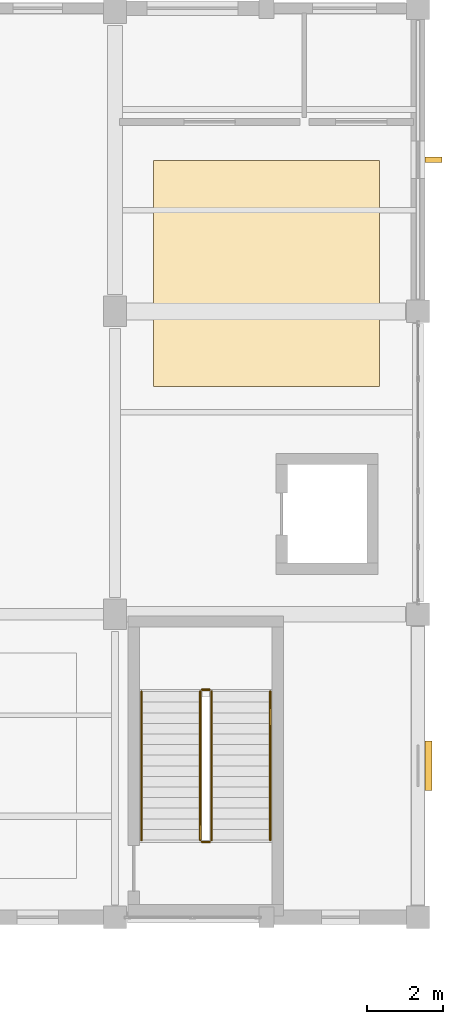
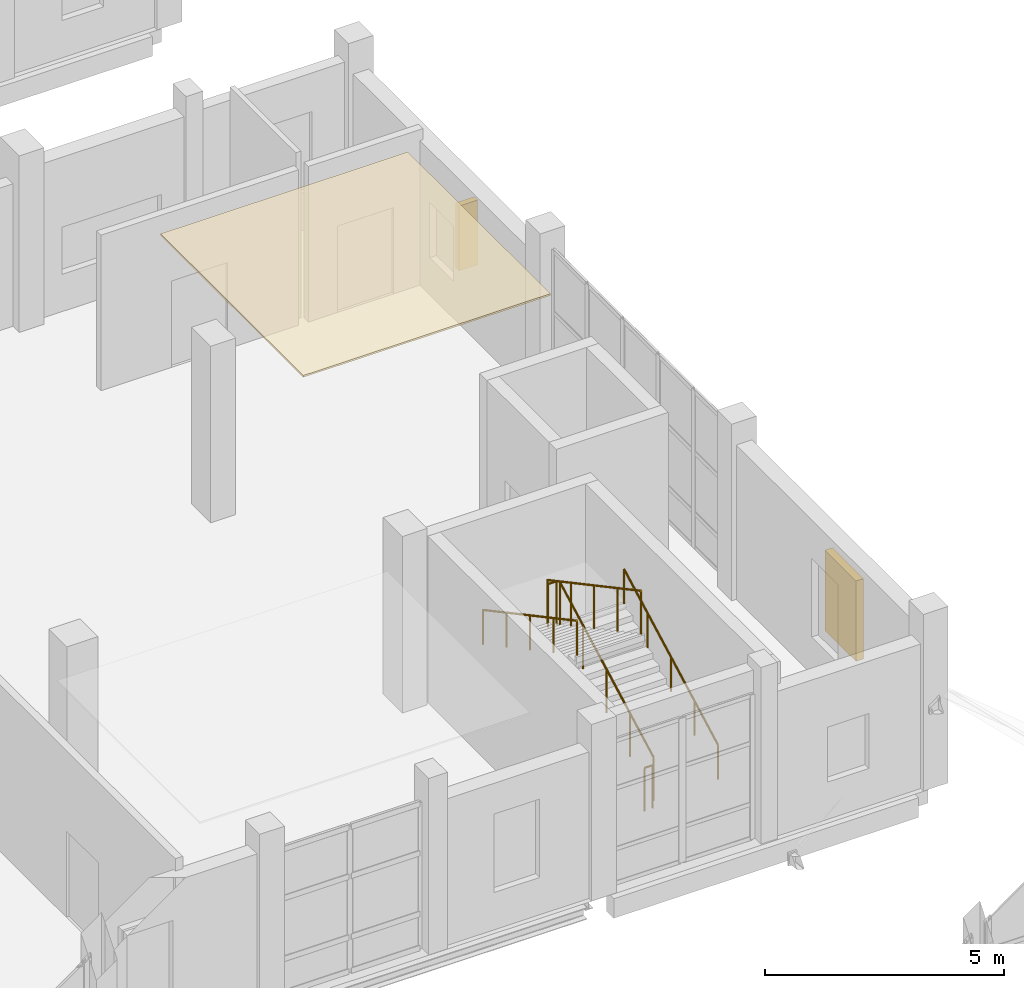
# One storey, part 179 of 183: 6 railings, 2 shading devices, 1 covering.
"""IFC4 building model written with IfcOpenShell, lengths in metres."""

from ifc_helpers import new_model, si_unit, direction, frame, origin, origin_2d, place, context, subcontext, project, spatial, polyline, rectangle, circle, outline, extrude, material, layer, layer_set, type_object, element, save


model = new_model("IFC4")

# Units and contexts
model_context = context("Model", 3, precision=1e-05, world=origin(), true_north=direction((0.0, 1.0)))
body_context = subcontext(model_context, "Body", "Model", "MODEL_VIEW")
ifc_project = project(units=[si_unit("LENGTHUNIT", "METRE"), si_unit("AREAUNIT", "SQUARE_METRE"), si_unit("VOLUMEUNIT", "CUBIC_METRE"), si_unit("PLANEANGLEUNIT", "RADIAN"), si_unit("MASSUNIT", "GRAM", prefix="KILO")], contexts=[model_context])

# Site, building, storey
site_placement = place(None, origin())
site = spatial("IfcSite", under=ifc_project, at=site_placement, CompositionType="ELEMENT")
building_placement = place(site_placement, origin())
building = spatial("IfcBuilding", under=site, at=building_placement, Name="Luwemba Playhouse", CompositionType="ELEMENT")
storey_placement = place(building_placement, frame((0.0, 0.0, 4.800048828125)))
storey = spatial("IfcBuildingStorey", under=building, at=storey_placement, Name="L01", CompositionType="ELEMENT", Elevation=4.800048828125)

# Covering
ifc_material_1 = material(Name="Perforated acoustic gypsum and timber baffle ceiling", Category="wood")
ifc_layer = layer(ifc_material_1, 0.044921875)
ifc_layer_set = layer_set([ifc_layer], Name="Perforated acoustic gypsum and timber baffle ceiling")
covering_type = type_object("IfcCoveringType", Name="COV-CEIL-AC", PredefinedType="CEILING", material=ifc_layer_set)
covering_placement = place(storey_placement, frame((0.0, 0.0, 4.204833984375)))
element("IfcCovering", 1, at=covering_placement, inside=storey, type_object=covering_type, Name="L01 Experimental Drama Studio acoustic ceiling cloud", PredefinedType="CEILING", context=body_context, shape_type="SweptSolid", body=[
    extrude(outline(polyline([(165.02001953125, 50.02001953125), (170.97998046875, 50.02001953125), (170.97998046875, 55.97998046875), (165.02001953125, 55.97998046875), (165.02001953125, 50.02001953125)])), origin(), (0.0, 0.0, 1.0), 0.045166015625),
])

# Railings
ifc_material_2 = material(Name="Painted wrought-iron gallery balustrade", Category="steel")
railing_type_1 = type_object("IfcRailingType", Name="RLG-BAL-INT", PredefinedType="BALUSTRADE", material=ifc_material_2)
railing_1_placement = place(storey_placement, frame((166.550048828125, 38.0400390625, 0.14990234375)))
element("IfcRailing", 2, at=railing_1_placement, inside=storey, type_object=railing_type_1, Name="L01 ST-06 stair guard 1", PredefinedType="BALUSTRADE", context=body_context, shape_type="SweptSolid", body=[
    extrude(circle(Radius=0.02392578125, at=origin_2d()), frame((0.0, 0.0, 1.09619140625), z_axis=(0.0, 0.881466911329, 0.472245787945), x_axis=(-1.0, 0.0, 0.0)), (0.0, 0.0, 1.0), 4.447021484375),
    extrude(circle(Radius=0.02099609375, at=origin_2d()), origin(), (0.0, 0.0, 1.0), 1.072021484375),
    extrude(circle(Radius=0.02099609375, at=origin_2d()), frame((0.0, 0.97998046875, 0.52490234375)), (0.0, 0.0, 1.0), 1.072021484375),
    extrude(circle(Radius=0.02099609375, at=origin_2d()), frame((0.0, 1.9599609375, 1.050048828125)), (0.0, 0.0, 1.0), 1.072021484375),
    extrude(circle(Radius=0.02099609375, at=origin_2d()), frame((0.0, 2.93994140625, 1.5751953125)), (0.0, 0.0, 1.0), 1.072021484375),
    extrude(circle(Radius=0.02099609375, at=origin_2d()), frame((0.0, 3.919921875, 2.10009765625)), (0.0, 0.0, 1.0), 1.072021484375),
])
railing_2_placement = place(storey_placement, frame((166.5, 42.010009765625, 2.25)))
element("IfcRailing", 3, at=railing_2_placement, inside=storey, type_object=railing_type_1, Name="L01 ST-06 stair guard 2", PredefinedType="BALUSTRADE", context=body_context, shape_type="SweptSolid", body=[
    extrude(circle(Radius=0.02392578125, at=origin_2d()), frame((0.0, 0.0, 1.09619140625), z_axis=(-1.0, 0.0, 0.0), x_axis=(0.0, -1.0, 0.0)), (0.0, 0.0, 1.0), 0.199951171875),
    extrude(circle(Radius=0.02099609375, at=origin_2d()), origin(), (0.0, 0.0, 1.0), 1.072021484375),
    extrude(circle(Radius=0.02099609375, at=origin_2d()), frame((-0.199951171875, 0.0, 0.0)), (0.0, 0.0, 1.0), 1.072021484375),
])
railing_3_placement = place(storey_placement, frame((166.25, 41.9599609375, 2.39990234375)))
element("IfcRailing", 4, at=railing_3_placement, inside=storey, type_object=railing_type_1, Name="L01 ST-06 stair guard 3", PredefinedType="BALUSTRADE", context=body_context, shape_type="SweptSolid", body=[
    extrude(circle(Radius=0.02392578125, at=origin_2d()), frame((0.0, 0.0, 1.09619140625), z_axis=(0.0, -0.881466911329, 0.472245787945), x_axis=(1.0, 0.0, 0.0)), (0.0, 0.0, 1.0), 4.447021484375),
    extrude(circle(Radius=0.02099609375, at=origin_2d()), origin(), (0.0, 0.0, 1.0), 1.072021484375),
    extrude(circle(Radius=0.02099609375, at=origin_2d()), frame((0.0, -0.97998046875, 0.52490234375)), (0.0, 0.0, 1.0), 1.072021484375),
    extrude(circle(Radius=0.02099609375, at=origin_2d()), frame((0.0, -1.9599609375, 1.050048828125)), (0.0, 0.0, 1.0), 1.072021484375),
    extrude(circle(Radius=0.02099609375, at=origin_2d()), frame((0.0, -2.93994140625, 1.5751953125)), (0.0, 0.0, 1.0), 1.072021484375),
    extrude(circle(Radius=0.02099609375, at=origin_2d()), frame((0.0, -3.919921875, 2.10009765625)), (0.0, 0.0, 1.0), 1.072021484375),
])
railing_4_placement = place(storey_placement, frame((166.5, 37.989990234375, 0.0)))
element("IfcRailing", 5, at=railing_4_placement, inside=storey, type_object=railing_type_1, Name="L01 ST-06 stair guard 4", PredefinedType="BALUSTRADE", context=body_context, shape_type="SweptSolid", body=[
    extrude(circle(Radius=0.02392578125, at=origin_2d()), frame((0.0, 0.0, 1.09619140625), z_axis=(-1.0, 0.0, 0.0), x_axis=(0.0, -1.0, 0.0)), (0.0, 0.0, 1.0), 0.199951171875),
    extrude(circle(Radius=0.02099609375, at=origin_2d()), origin(), (0.0, 0.0, 1.0), 1.072021484375),
    extrude(circle(Radius=0.02099609375, at=origin_2d()), frame((-0.199951171875, 0.0, 0.0)), (0.0, 0.0, 1.0), 1.072021484375),
])
ifc_material_3 = material(Name="Hardwood and bronze handrail", Category="wood")
railing_type_2 = type_object("IfcRailingType", Name="RLG-HR-INT", PredefinedType="HANDRAIL", material=ifc_material_3)
railing_5_placement = place(storey_placement, frame((168.10009765625, 38.0400390625, 0.14990234375)))
element("IfcRailing", 6, at=railing_5_placement, inside=storey, type_object=railing_type_2, Name="L01 ST-06 stair handrail 1", PredefinedType="HANDRAIL", context=body_context, shape_type="SweptSolid", body=[
    extrude(circle(Radius=0.02392578125, at=origin_2d()), frame((0.0, 0.0, 0.8759765625), z_axis=(0.0, 0.881466911329, 0.472245787945), x_axis=(-1.0, 0.0, 0.0)), (0.0, 0.0, 1.0), 4.447021484375),
    extrude(circle(Radius=0.02099609375, at=origin_2d()), origin(), (0.0, 0.0, 1.0), 0.851806640625),
    extrude(circle(Radius=0.02099609375, at=origin_2d()), frame((0.0, 0.97998046875, 0.52490234375)), (0.0, 0.0, 1.0), 0.851806640625),
    extrude(circle(Radius=0.02099609375, at=origin_2d()), frame((0.0, 1.9599609375, 1.050048828125)), (0.0, 0.0, 1.0), 0.851806640625),
    extrude(circle(Radius=0.02099609375, at=origin_2d()), frame((0.0, 2.93994140625, 1.5751953125)), (0.0, 0.0, 1.0), 0.851806640625),
    extrude(circle(Radius=0.02099609375, at=origin_2d()), frame((0.0, 3.919921875, 2.10009765625)), (0.0, 0.0, 1.0), 0.851806640625),
])
railing_6_placement = place(storey_placement, frame((164.699951171875, 41.9599609375, 2.39990234375)))
element("IfcRailing", 7, at=railing_6_placement, inside=storey, type_object=railing_type_2, Name="L01 ST-06 stair handrail 2", PredefinedType="HANDRAIL", context=body_context, shape_type="SweptSolid", body=[
    extrude(circle(Radius=0.02392578125, at=origin_2d()), frame((0.0, 0.0, 0.8759765625), z_axis=(0.0, -0.881466911329, 0.472245787945), x_axis=(1.0, 0.0, 0.0)), (0.0, 0.0, 1.0), 4.447021484375),
    extrude(circle(Radius=0.02099609375, at=origin_2d()), origin(), (0.0, 0.0, 1.0), 0.851806640625),
    extrude(circle(Radius=0.02099609375, at=origin_2d()), frame((0.0, -0.97998046875, 0.52490234375)), (0.0, 0.0, 1.0), 0.851806640625),
    extrude(circle(Radius=0.02099609375, at=origin_2d()), frame((0.0, -1.9599609375, 1.050048828125)), (0.0, 0.0, 1.0), 0.851806640625),
    extrude(circle(Radius=0.02099609375, at=origin_2d()), frame((0.0, -2.93994140625, 1.5751953125)), (0.0, 0.0, 1.0), 0.851806640625),
    extrude(circle(Radius=0.02099609375, at=origin_2d()), frame((0.0, -3.919921875, 2.10009765625)), (0.0, 0.0, 1.0), 0.851806640625),
])

# Shading devices
ifc_material_4 = material(Name="Extruded terracotta brise-soleil fin on steel bracket", Category="masonry")
shading_device_type_1 = type_object("IfcShadingDeviceType", Name="SHD-BRISE", PredefinedType="USERDEFINED", material=ifc_material_4)
shading_device_1_placement = place(storey_placement, frame((172.409912109375, 56.0, 0.824951171875), z_axis=(0.0, 0.0, 1.0), x_axis=(0.0, -1.0, 0.0)))
element("IfcShadingDevice", 8, at=shading_device_1_placement, inside=storey, type_object=shading_device_type_1, Name="L01 terracotta brise-soleil fin 025", ObjectType="TERRACOTTA BRISE SOLEIL", PredefinedType="USERDEFINED", context=body_context, shape_type="SweptSolid", body=[
    extrude(rectangle(XDim=0.139892578125, YDim=0.449951171875, at=origin_2d()), origin(), (0.0, 0.0, 1.0), 1.64990234375),
])
ifc_material_5 = material(Name="Kiln-fired terracotta gelosia louvre screen", Category="masonry")
shading_device_type_2 = type_object("IfcShadingDeviceType", Name="SHD-GELOSIA", PredefinedType="JALOUSIE", material=ifc_material_5)
shading_device_2_placement = place(storey_placement, frame((172.27490234375, 40.0, 0.9248046875), z_axis=(0.0, 0.0, 1.0), x_axis=(0.0, -1.0, 0.0)))
element("IfcShadingDevice", 9, at=shading_device_2_placement, inside=storey, type_object=shading_device_type_2, Name="L01 fired-clay gelosia screen 026", PredefinedType="JALOUSIE", context=body_context, shape_type="SweptSolid", body=[
    extrude(rectangle(XDim=1.300048828125, YDim=0.179931640625, at=origin_2d()), origin(), (0.0, 0.0, 1.0), 2.050048828125),
])

save(model, "model.ifc")
